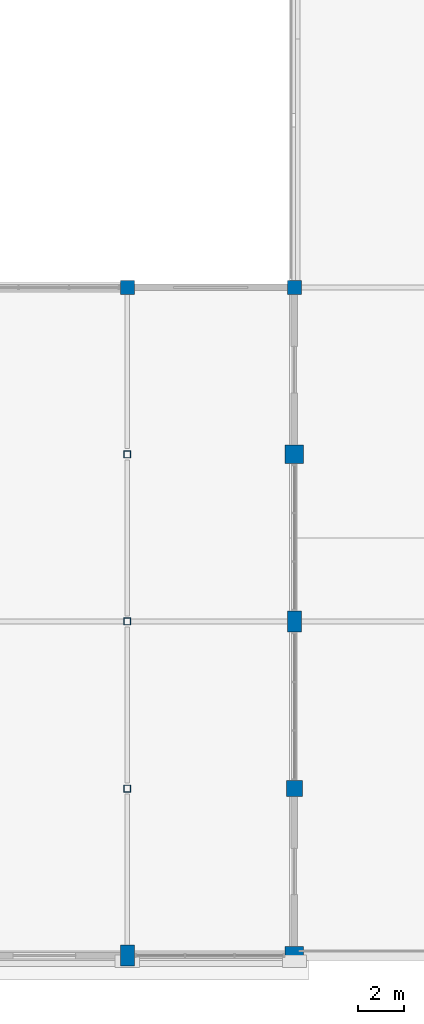
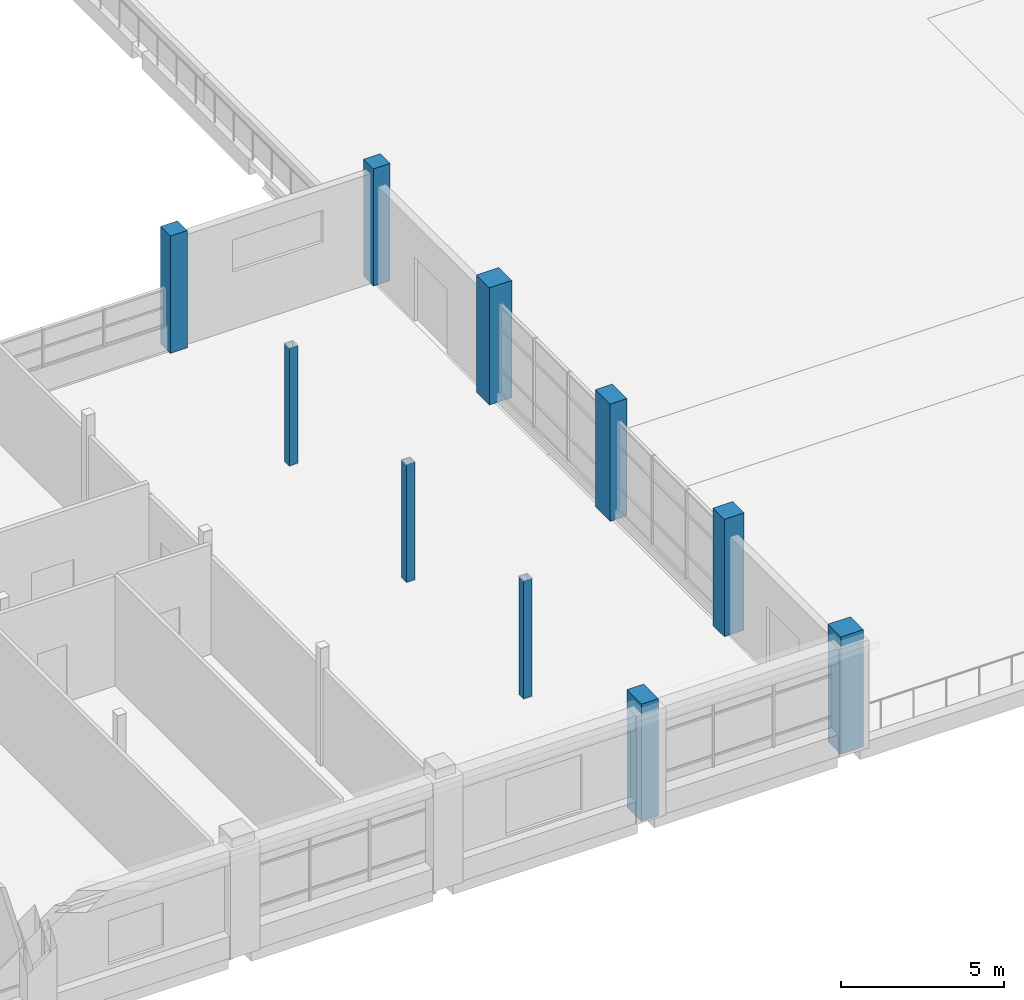
# One storey, part 5 of 71: 10 columns.
"""IFC4 building model written with IfcOpenShell, lengths in metres."""

from ifc_helpers import new_model, si_unit, direction, frame, origin, origin_2d, place, context, subcontext, project, spatial, rectangle, hollow_rectangle, extrude, material, material_profile, profile_set, type_object, element, save


model = new_model("IFC4")

# Units and contexts
model_context = context("Model", 3, precision=1e-05, world=origin(), true_north=direction((0.0, 1.0)))
body_context = subcontext(model_context, "Body", "Model", "MODEL_VIEW")
ifc_project = project(units=[si_unit("LENGTHUNIT", "METRE"), si_unit("AREAUNIT", "SQUARE_METRE"), si_unit("VOLUMEUNIT", "CUBIC_METRE"), si_unit("PLANEANGLEUNIT", "RADIAN"), si_unit("MASSUNIT", "GRAM", prefix="KILO")], contexts=[model_context])

# Site, building, storey
site_placement = place(None, origin())
site = spatial("IfcSite", under=ifc_project, at=site_placement, CompositionType="ELEMENT")
building_placement = place(site_placement, origin())
building = spatial("IfcBuilding", under=site, at=building_placement, Name="Sardonyx Promenade Sports Hall", CompositionType="ELEMENT")
storey_placement = place(building_placement, frame((0.0, 0.0, 16.0)))
storey = spatial("IfcBuildingStorey", under=building, at=storey_placement, Name="L03", CompositionType="ELEMENT", Elevation=16.0)

# Columns
ifc_material_1 = material(Name="Concrete C40/50", Category="concrete")
ifc_material_profile_1 = material_profile(ifc_material_1, rectangle(XDim=0.60009765625, YDim=0.60009765625, at=origin_2d()))
ifc_profile_set_1 = profile_set([ifc_material_profile_1], Name="Concrete C40/50")
column_type_1 = type_object("IfcColumnType", Name="Col_Ext_RC600", PredefinedType="COLUMN", material=ifc_profile_set_1)
for number, where, z_axis, x_axis, name in (
    (1, (100.800048828125, 28.800048828125, 0.0), (0.0, 0.0, 1.0), (1.0, 0.0, 0.0), "Column CE11 L03 (100.8,28.8)"),
    (2, (108.0, 28.800048828125, 0.0), (0.0, 0.0, 1.0), (1.0, 0.0, 0.0), "Column CE11 L03 (108.0,28.8)"),
):
    element("IfcColumn", number, at=place(storey_placement, frame(where, z_axis=z_axis, x_axis=x_axis)), inside=storey, type_object=column_type_1, Name=name, PredefinedType="COLUMN", context=body_context, shape_type="SweptSolid", body=[
        extrude(rectangle(XDim=0.60009765625, YDim=0.60009765625, at=origin_2d()), origin(), (0.0, 0.0, 1.0), 4.39990234375),
    ])
ifc_material_2 = material(Name="Concrete C40/50", Category="concrete")
ifc_material_profile_2 = material_profile(ifc_material_2, rectangle(XDim=0.60009765625, YDim=0.89990234375, at=origin_2d()))
ifc_profile_set_2 = profile_set([ifc_material_profile_2], Name="Concrete C40/50")
column_type_2 = type_object("IfcColumnType", Name="Col_Ext_RC600x900", PredefinedType="COLUMN", material=ifc_profile_set_2)
for number, where, z_axis, x_axis, name in (
    (3, (100.800048828125, 0.0, 0.0), (0.0, 0.0, 1.0), (1.0, 0.0, 0.0), "Column CE12 L03 (100.8,0.0)"),
    (4, (108.0, 14.39990234375, 0.0), (0.0, 0.0, 1.0), (1.0, 0.0, 0.0), "Column CE12 L03 (108.0,14.4)"),
):
    element("IfcColumn", number, at=place(storey_placement, frame(where, z_axis=z_axis, x_axis=x_axis)), inside=storey, type_object=column_type_2, Name=name, PredefinedType="COLUMN", context=body_context, shape_type="SweptSolid", body=[
        extrude(rectangle(XDim=0.60009765625, YDim=0.89990234375, at=origin_2d()), origin(), (0.0, 0.0, 1.0), 4.39990234375),
    ])
ifc_material_3 = material(Name="Concrete C40/50", Category="concrete")
ifc_material_profile_3 = material_profile(ifc_material_3, rectangle(XDim=0.699951171875, YDim=0.699951171875, at=origin_2d()))
ifc_profile_set_3 = profile_set([ifc_material_profile_3], Name="Concrete C40/50")
column_type_3 = type_object("IfcColumnType", Name="Col_Ext_RC700", PredefinedType="COLUMN", material=ifc_profile_set_3)
column_placement = place(storey_placement, frame((108.0, 7.199951171875, 0.0), z_axis=(0.0, 0.0, 1.0), x_axis=(1.0, 0.0, 0.0)))
element("IfcColumn", 5, at=column_placement, inside=storey, type_object=column_type_3, Name="Column CE05 L03 (108.0,7.2)", PredefinedType="COLUMN", context=body_context, shape_type="SweptSolid", body=[
    extrude(rectangle(XDim=0.699951171875, YDim=0.699951171875, at=origin_2d()), origin(), (0.0, 0.0, 1.0), 4.39990234375),
])
ifc_material_4 = material(Name="Concrete C50/60", Category="concrete")
ifc_material_profile_4 = material_profile(ifc_material_4, rectangle(XDim=0.800048828125, YDim=0.800048828125, at=origin_2d()))
ifc_profile_set_4 = profile_set([ifc_material_profile_4], Name="Concrete C50/60")
column_type_4 = type_object("IfcColumnType", Name="Col_Ext_RC800", PredefinedType="COLUMN", material=ifc_profile_set_4)
for number, where, z_axis, x_axis, name in (
    (6, (108.0, 0.0, 0.0), (0.0, 0.0, 1.0), (1.0, 0.0, 0.0), "Column CE13 L03 (108.0,0.0)"),
    (7, (108.0, 21.60009765625, 0.0), (0.0, 0.0, 1.0), (1.0, 0.0, 0.0), "Column CE13 L03 (108.0,21.6)"),
):
    element("IfcColumn", number, at=place(storey_placement, frame(where, z_axis=z_axis, x_axis=x_axis)), inside=storey, type_object=column_type_4, Name=name, PredefinedType="COLUMN", context=body_context, shape_type="SweptSolid", body=[
        extrude(rectangle(XDim=0.800048828125, YDim=0.800048828125, at=origin_2d()), origin(), (0.0, 0.0, 1.0), 4.39990234375),
    ])
ifc_material_5 = material(Name="Steel S355JR", Category="steel")
ifc_material_profile_5 = material_profile(ifc_material_5, hollow_rectangle(XDim=0.300048828125, YDim=0.300048828125, WallThickness=0.012451171875, at=origin_2d()))
ifc_profile_set_5 = profile_set([ifc_material_profile_5], Name="Steel S355JR")
column_type_5 = type_object("IfcColumnType", Name="Col_Int_SHS300", PredefinedType="COLUMN", material=ifc_profile_set_5)
for number, where, z_axis, x_axis, name in (
    (8, (100.800048828125, 7.199951171875, 0.0), (0.0, 0.0, 1.0), (1.0, 0.0, 0.0), "Column CI09 L03 (100.8,7.2)"),
    (9, (100.800048828125, 14.39990234375, 0.0), (0.0, 0.0, 1.0), (1.0, 0.0, 0.0), "Column CI09 L03 (100.8,14.4)"),
    (10, (100.800048828125, 21.60009765625, 0.0), (0.0, 0.0, 1.0), (1.0, 0.0, 0.0), "Column CI09 L03 (100.8,21.6)"),
):
    element("IfcColumn", number, at=place(storey_placement, frame(where, z_axis=z_axis, x_axis=x_axis)), inside=storey, type_object=column_type_5, Name=name, PredefinedType="COLUMN", context=body_context, shape_type="SweptSolid", body=[
        extrude(hollow_rectangle(XDim=0.300048828125, YDim=0.300048828125, WallThickness=0.012451171875, at=origin_2d()), origin(), (0.0, 0.0, 1.0), 4.39990234375),
    ])

save(model, "model.ifc")
